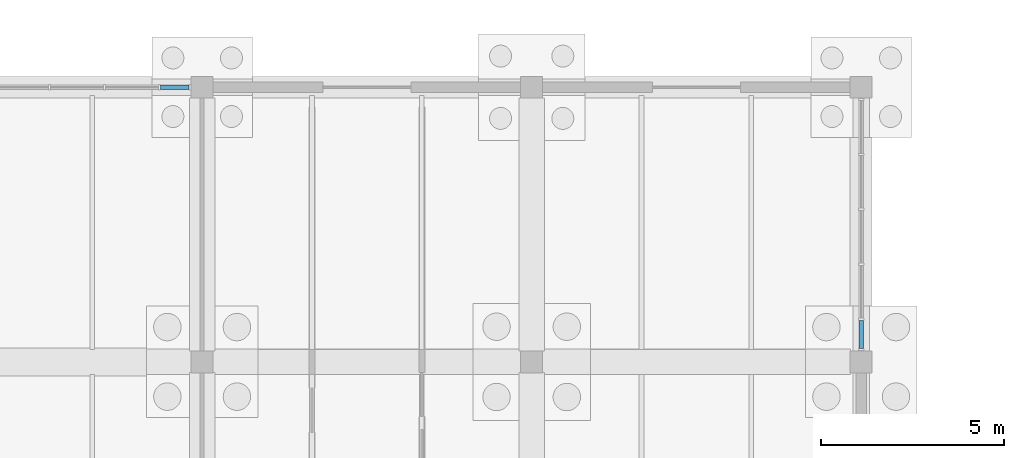
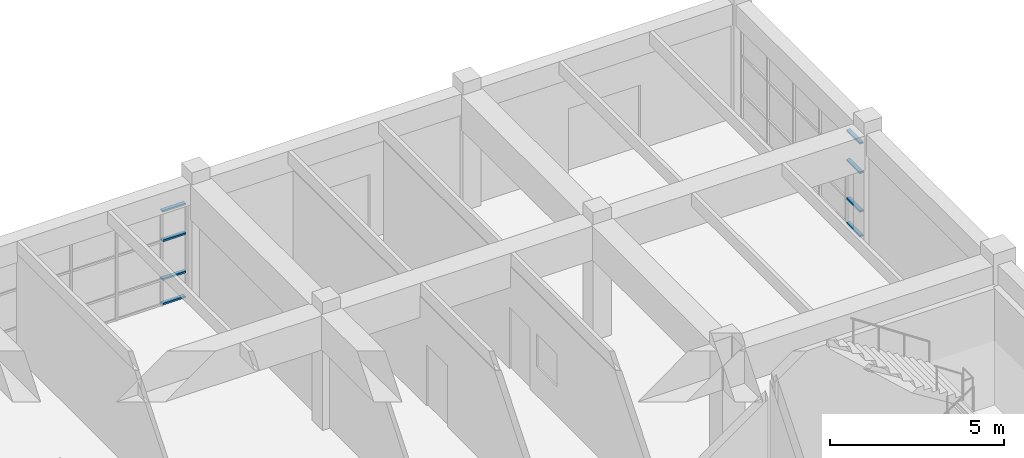
# One storey, part 42 of 93: 8 members, 2 elements without a shape of their own.
"""IFC4 building model written with IfcOpenShell, lengths in metres."""

from ifc_helpers import new_model, si_unit, direction, frame, origin, origin_2d, place, context, subcontext, project, spatial, rectangle, extrude, material, layer, layer_set, material_profile, profile_set, type_object, element, aggregate, save


model = new_model("IFC4")

# Units and contexts
model_context = context("Model", 3, precision=1e-05, world=origin(), true_north=direction((0.0, 1.0)))
body_context = subcontext(model_context, "Body", "Model", "MODEL_VIEW")
ifc_project = project(units=[si_unit("LENGTHUNIT", "METRE"), si_unit("AREAUNIT", "SQUARE_METRE"), si_unit("VOLUMEUNIT", "CUBIC_METRE"), si_unit("PLANEANGLEUNIT", "RADIAN"), si_unit("MASSUNIT", "GRAM", prefix="KILO")], contexts=[model_context])

# Site, building, storey
site_placement = place(None, origin())
site = spatial("IfcSite", under=ifc_project, at=site_placement, CompositionType="ELEMENT")
building_placement = place(site_placement, origin())
building = spatial("IfcBuilding", under=site, at=building_placement, Name="Marnridge Secondary College", CompositionType="ELEMENT")
storey_placement = place(building_placement, origin())
storey = spatial("IfcBuildingStorey", under=building, at=storey_placement, Name="L00", CompositionType="ELEMENT", Elevation=0.0)

# Curtain wall, members
ifc_material_1 = material(Name="Thermally broken aluminium and low-E glazing", Category="aluminium")
ifc_layer = layer(ifc_material_1, 0.159912109375)
ifc_layer_set = layer_set([ifc_layer], Name="CW-MOD-1500")
curtain_wall_type = type_object("IfcCurtainWallType", Name="CW-MOD-1500", PredefinedType="NOTDEFINED", material=ifc_layer_set)
curtain_wall_1_placement = place(storey_placement, origin())
curtain_wall_1 = element("IfcCurtainWall", 1, at=curtain_wall_1_placement, inside=storey, type_object=curtain_wall_type, Name="Unitised curtain wall CW-L00-002", PredefinedType="NOTDEFINED")
ifc_material_2 = material(Name="Anodised aluminium 6063-T6", Category="aluminium")
ifc_material_profile = material_profile(ifc_material_2, rectangle(XDim=0.06005859375, YDim=0.1201171875, at=origin_2d()), Name="ALU 60x120")
ifc_profile_set = profile_set([ifc_material_profile], Name="Anodised aluminium 6063-T6")
member_type = type_object("IfcMemberType", Name="CWT-ALU120", PredefinedType="USERDEFINED", material=ifc_profile_set)
member_1_placement = place(storey_placement, frame((70.864013671875, 82.5, 0.030029296875), z_axis=(1.0, 0.0, 0.0), x_axis=(0.0, 0.0, 1.0)))
member_1 = element("IfcMember", 2, at=member_1_placement, type_object=member_type, Name="CW-L00-002 transom 6.1", ObjectType="TRANSOM", PredefinedType="USERDEFINED", context=body_context, shape_type="SweptSolid", body=[
    extrude(rectangle(XDim=0.06005859375, YDim=0.1201171875, at=origin_2d()), origin(), (0.0, 0.0, 1.0), 0.77197265625),
])
member_2_placement = place(storey_placement, frame((70.864013671875, 82.5, 0.89990234375), z_axis=(1.0, 0.0, 0.0), x_axis=(0.0, 0.0, 1.0)))
member_2 = element("IfcMember", 3, at=member_2_placement, type_object=member_type, Name="CW-L00-002 transom 6.2", ObjectType="TRANSOM", PredefinedType="USERDEFINED", context=body_context, shape_type="SweptSolid", body=[
    extrude(rectangle(XDim=0.06005859375, YDim=0.1201171875, at=origin_2d()), origin(), (0.0, 0.0, 1.0), 0.77197265625),
])
member_3_placement = place(storey_placement, frame((70.864013671875, 82.5, 2.25), z_axis=(1.0, 0.0, 0.0), x_axis=(0.0, 0.0, 1.0)))
member_3 = element("IfcMember", 4, at=member_3_placement, type_object=member_type, Name="CW-L00-002 transom 6.3", ObjectType="TRANSOM", PredefinedType="USERDEFINED", context=body_context, shape_type="SweptSolid", body=[
    extrude(rectangle(XDim=0.06005859375, YDim=0.1201171875, at=origin_2d()), origin(), (0.0, 0.0, 1.0), 0.77197265625),
])
member_4_placement = place(storey_placement, frame((70.864013671875, 82.5, 3.2919921875), z_axis=(1.0, 0.0, 0.0), x_axis=(0.0, 0.0, 1.0)))
member_4 = element("IfcMember", 5, at=member_4_placement, type_object=member_type, Name="CW-L00-002 transom 6.4", ObjectType="TRANSOM", PredefinedType="USERDEFINED", context=body_context, shape_type="SweptSolid", body=[
    extrude(rectangle(XDim=0.06005859375, YDim=0.1201171875, at=origin_2d()), origin(), (0.0, 0.0, 1.0), 0.77197265625),
])
aggregate(curtain_wall_1, [member_1, member_2, member_3, member_4])

curtain_wall_2_placement = place(storey_placement, origin())
curtain_wall_2 = element("IfcCurtainWall", 6, at=curtain_wall_2_placement, inside=storey, type_object=curtain_wall_type, Name="Unitised curtain wall CW-L00-003", PredefinedType="NOTDEFINED")
member_5_placement = place(storey_placement, frame((90.0, 76.135986328125, 0.030029296875), z_axis=(0.0, -1.0, 0.0), x_axis=(0.0, 0.0, 1.0)))
member_5 = element("IfcMember", 7, at=member_5_placement, type_object=member_type, Name="CW-L00-003 transom 5.1", ObjectType="TRANSOM", PredefinedType="USERDEFINED", context=body_context, shape_type="SweptSolid", body=[
    extrude(rectangle(XDim=0.06005859375, YDim=0.1201171875, at=origin_2d()), origin(), (0.0, 0.0, 1.0), 0.77197265625),
])
member_6_placement = place(storey_placement, frame((90.0, 76.135986328125, 0.89990234375), z_axis=(0.0, -1.0, 0.0), x_axis=(0.0, 0.0, 1.0)))
member_6 = element("IfcMember", 8, at=member_6_placement, type_object=member_type, Name="CW-L00-003 transom 5.2", ObjectType="TRANSOM", PredefinedType="USERDEFINED", context=body_context, shape_type="SweptSolid", body=[
    extrude(rectangle(XDim=0.06005859375, YDim=0.1201171875, at=origin_2d()), origin(), (0.0, 0.0, 1.0), 0.77197265625),
])
member_7_placement = place(storey_placement, frame((90.0, 76.135986328125, 2.25), z_axis=(0.0, -1.0, 0.0), x_axis=(0.0, 0.0, 1.0)))
member_7 = element("IfcMember", 9, at=member_7_placement, type_object=member_type, Name="CW-L00-003 transom 5.3", ObjectType="TRANSOM", PredefinedType="USERDEFINED", context=body_context, shape_type="SweptSolid", body=[
    extrude(rectangle(XDim=0.06005859375, YDim=0.1201171875, at=origin_2d()), origin(), (0.0, 0.0, 1.0), 0.77197265625),
])
member_8_placement = place(storey_placement, frame((90.0, 76.135986328125, 3.2919921875), z_axis=(0.0, -1.0, 0.0), x_axis=(0.0, 0.0, 1.0)))
member_8 = element("IfcMember", 10, at=member_8_placement, type_object=member_type, Name="CW-L00-003 transom 5.4", ObjectType="TRANSOM", PredefinedType="USERDEFINED", context=body_context, shape_type="SweptSolid", body=[
    extrude(rectangle(XDim=0.06005859375, YDim=0.1201171875, at=origin_2d()), origin(), (0.0, 0.0, 1.0), 0.77197265625),
])
aggregate(curtain_wall_2, [member_5, member_6, member_7, member_8])

save(model, "model.ifc")
